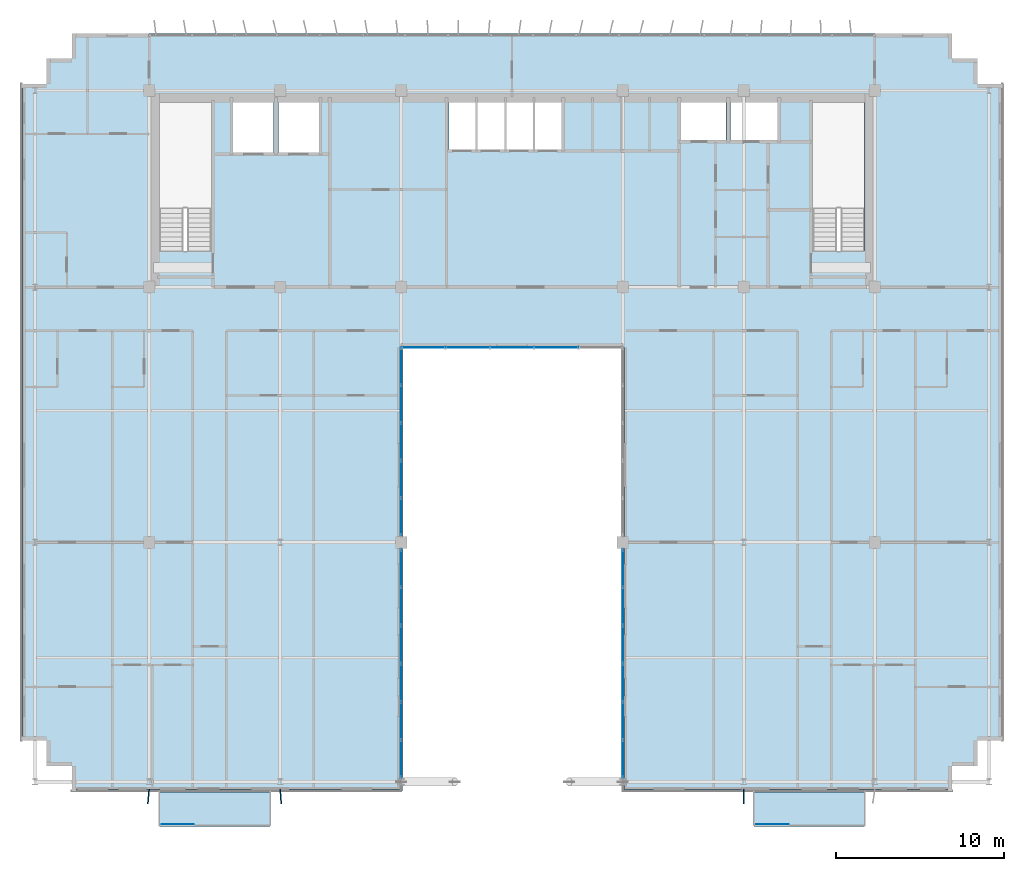
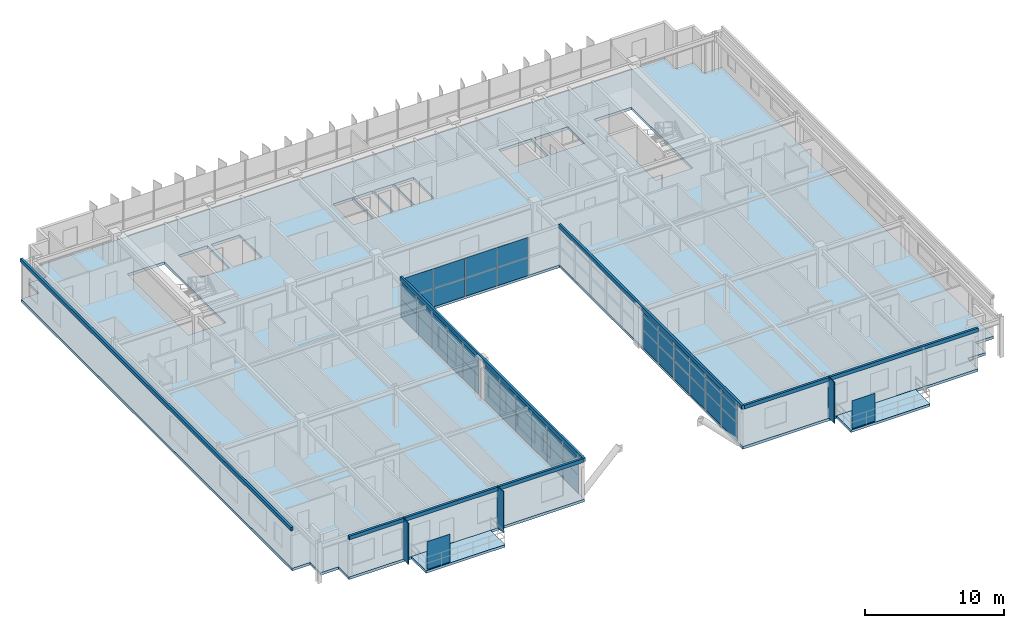
# One storey, part 26 of 35: 52 plates, 3 slabs, 4 elements without a shape of their own.
"""IFC4 building model written with IfcOpenShell, lengths in metres."""

from ifc_helpers import new_model, si_unit, direction, frame, origin, origin_2d, place, context, subcontext, project, spatial, polyline, rectangle, outline, extrude, source, transform, mapped, material, layer, layer_set, type_object, element, aggregate, save


model = new_model("IFC4")

# Units and contexts
model_context = context("Model", 3, precision=1e-05, world=origin(), true_north=direction((0.0, 1.0)))
body_context = subcontext(model_context, "Body", "Model", "MODEL_VIEW")
ifc_project = project(units=[si_unit("LENGTHUNIT", "METRE"), si_unit("AREAUNIT", "SQUARE_METRE"), si_unit("VOLUMEUNIT", "CUBIC_METRE"), si_unit("PLANEANGLEUNIT", "RADIAN"), si_unit("MASSUNIT", "GRAM", prefix="KILO")], contexts=[model_context])

# Site, building, storey
site_placement = place(None, origin())
site = spatial("IfcSite", under=ifc_project, at=site_placement, CompositionType="ELEMENT")
building_placement = place(site_placement, origin())
building = spatial("IfcBuilding", under=site, at=building_placement, Name="Trelvane Seafront Commons", CompositionType="ELEMENT")
storey_placement = place(building_placement, frame((0.0, 0.0, 194.10009765625)))
storey = spatial("IfcBuildingStorey", under=building, at=storey_placement, Name="L50", CompositionType="ELEMENT", Elevation=194.10009765625)

# Slabs
ifc_material_1 = material(Name="Concrete C40/50", Category="concrete")
ifc_layer_1 = layer(ifc_material_1, 0.219970703125, Name="ARCH-BALC-220")
ifc_layer_set_1 = layer_set([ifc_layer_1], Name="Concrete C40/50")
slab_type_1 = type_object("IfcSlabType", Name="ARCH-BALC-220", PredefinedType="FLOOR", material=ifc_layer_set_1)
slab_1_placement = place(storey_placement, frame((0.0, 0.0, -0.22021484375)))
element("IfcSlab", 1, at=slab_1_placement, inside=storey, type_object=slab_type_1, Name="L50 Cantilevered Tree Balcony Loggia 1", PredefinedType="FLOOR", context=body_context, shape_type="SweptSolid", body=[
    extrude(outline(polyline([(16.199951171875, 1.300048828125), (22.800048828125, 1.300048828125), (22.800048828125, 3.39990234375), (16.199951171875, 3.39990234375), (16.199951171875, 1.300048828125)])), origin(), (0.0, 0.0, 1.0), 0.22021484375),
])
slab_2_placement = place(storey_placement, frame((0.0, 0.0, -0.22021484375)))
element("IfcSlab", 2, at=slab_2_placement, inside=storey, type_object=slab_type_1, Name="L50 Cantilevered Tree Balcony Loggia 2", PredefinedType="FLOOR", context=body_context, shape_type="SweptSolid", body=[
    extrude(outline(polyline([(51.60009765625, 1.300048828125), (58.199951171875, 1.300048828125), (58.199951171875, 3.39990234375), (51.60009765625, 3.39990234375), (51.60009765625, 1.300048828125)])), origin(), (0.0, 0.0, 1.0), 0.22021484375),
])
ifc_material_2 = material(Name="Concrete C50/60", Category="concrete")
ifc_layer_2 = layer(ifc_material_2, 0.239990234375, Name="STR-SLB-Z4-240")
ifc_layer_set_2 = layer_set([ifc_layer_2], Name="Concrete C50/60")
slab_type_2 = type_object("IfcSlabType", Name="STR-SLB-Z4-240", PredefinedType="FLOOR", material=ifc_layer_set_2)
slab_3_placement = place(storey_placement, frame((0.0, 0.0, -0.239990234375)))
element("IfcSlab", 3, at=slab_3_placement, inside=storey, type_object=slab_type_2, Name="L50 Structural Floor Slab", PredefinedType="FLOOR", context=body_context, shape_type="SweptSolid", body=[
    extrude(outline(polyline([(11.0, 3.39990234375), (30.60009765625, 3.39990234375), (30.60009765625, 29.800048828125), (43.800048828125, 29.800048828125), (43.800048828125, 3.39990234375), (63.39990234375, 3.39990234375), (63.39990234375, 4.89990234375), (64.89990234375, 4.89990234375), (64.89990234375, 6.39990234375), (66.39990234375, 6.39990234375), (66.39990234375, 45.5), (64.89990234375, 45.5), (64.89990234375, 47.0), (63.39990234375, 47.0), (63.39990234375, 48.5), (11.0, 48.5), (11.0, 47.0), (9.5, 47.0), (9.5, 45.5), (8.0, 45.5), (8.0, 6.39990234375), (9.5, 6.39990234375), (9.5, 4.89990234375), (11.0, 4.89990234375), (11.0, 3.39990234375)]), holes=[polyline([(19.300048828125, 35.550048828125), (16.199951171875, 35.550048828125), (16.199951171875, 44.39990234375), (19.300048828125, 44.39990234375), (19.300048828125, 35.550048828125)]), polyline([(58.199951171875, 35.550048828125), (55.10009765625, 35.550048828125), (55.10009765625, 44.39990234375), (58.199951171875, 44.39990234375), (58.199951171875, 35.550048828125)]), polyline([(23.0, 41.39990234375), (20.60009765625, 41.39990234375), (20.60009765625, 44.60009765625), (23.0, 44.60009765625), (23.0, 41.39990234375)]), polyline([(23.300048828125, 41.39990234375), (23.300048828125, 44.60009765625), (25.699951171875, 44.60009765625), (25.699951171875, 41.39990234375), (23.300048828125, 41.39990234375)]), polyline([(33.449951171875, 41.60009765625), (33.449951171875, 44.60009765625), (35.070068359375, 44.60009765625), (35.070068359375, 41.60009765625), (33.449951171875, 41.60009765625)]), polyline([(36.77001953125, 41.60009765625), (35.14990234375, 41.60009765625), (35.14990234375, 44.60009765625), (36.77001953125, 44.60009765625), (36.77001953125, 41.60009765625)]), polyline([(38.469970703125, 41.60009765625), (36.85009765625, 41.60009765625), (36.85009765625, 44.60009765625), (38.469970703125, 44.60009765625), (38.469970703125, 41.60009765625)]), polyline([(40.169921875, 41.60009765625), (38.550048828125, 41.60009765625), (38.550048828125, 44.60009765625), (40.169921875, 44.60009765625), (40.169921875, 41.60009765625)]), polyline([(47.25, 42.14990234375), (47.25, 44.550048828125), (49.949951171875, 44.550048828125), (49.949951171875, 42.14990234375), (47.25, 42.14990234375)]), polyline([(50.199951171875, 42.14990234375), (50.199951171875, 44.550048828125), (53.0, 44.550048828125), (53.0, 42.14990234375), (50.199951171875, 42.14990234375)])]), origin(), (0.0, 0.0, 1.0), 0.239990234375),
])

# Plates
ifc_material_3 = material(Name="Perforated anodised aluminium screen", Category="aluminium")
ifc_layer_3 = layer(ifc_material_3, 0.01611328125, Name="ARCH-PLATE-SCREEN")
ifc_layer_set_3 = layer_set([ifc_layer_3], Name="Perforated anodised aluminium screen")
plate_type_1 = type_object("IfcPlateType", Name="ARCH-PLATE-SCREEN", PredefinedType="USERDEFINED", material=ifc_layer_set_3)
shared_shape_1 = source(origin(), body_context, "Body", "SweptSolid", [
    extrude(rectangle(XDim=1.9140625, YDim=0.01611328125, at=origin_2d()), origin(), (0.0, 0.0, 1.0), 2.449951171875),
])
for number, where, z_axis, x_axis, name in (
    (4, (17.306884765625, 1.419921875, 0.0), (0.0, 0.0, 1.0), (1.0, 0.0, 0.0), "SCR-L50-00176"),
    (5, (52.70703125, 1.419921875, 0.0), (0.0, 0.0, 1.0), (1.0, 0.0, 0.0), "SCR-L50-00177"),
):
    element("IfcPlate", number, at=place(storey_placement, frame(where, z_axis=z_axis, x_axis=x_axis)), inside=storey, type_object=plate_type_1, Name=name, ObjectType="SCREEN", PredefinedType="USERDEFINED", context=body_context, shape_type="MappedRepresentation", body=[
        mapped(shared_shape_1, transform((0.0, 0.0, 0.0), x_axis=(1.0, 0.0, 0.0), y_axis=(0.0, 1.0, 0.0), z_axis=(0.0, 0.0, 1.0), scale=1.0)),
    ])
ifc_material_4 = material(Name="Anodised pale-silver aluminium", Category="aluminium")
ifc_layer_4 = layer(ifc_material_4, 0.06005859375, Name="ARCH-PLATE-FIN900")
ifc_layer_set_4 = layer_set([ifc_layer_4], Name="Anodised pale-silver aluminium")
plate_type_2 = type_object("IfcPlateType", Name="ARCH-PLATE-FIN900", PredefinedType="USERDEFINED", material=ifc_layer_set_4)
shared_shape_2 = source(origin(), body_context, "Body", "SweptSolid", [
    extrude(rectangle(XDim=0.85009765625, YDim=0.06005859375, at=origin_2d()), origin(), (0.0, 0.0, 1.0), 3.639892578125),
])
for number, where, z_axis, x_axis, name in (
    (6, (15.56005859375, 3.076904296875, -0.02001953125), (0.0, 0.0, 1.0), (-0.094004057798, -0.995571814144, 0.0), "FIN-S-L50-01389"),
    (7, (23.43115234375, 3.076171875, -0.02001953125), (0.0, 0.0, 1.0), (0.073179015166, -0.997318821511, 0.0), "FIN-S-L50-01390"),
    (8, (51.00390625, 3.074951171875, -0.02001953125), (0.0, 0.0, 1.0), (0.009058134944, -0.999958974254, 0.0), "FIN-S-L50-01391"),
):
    element("IfcPlate", number, at=place(storey_placement, frame(where, z_axis=z_axis, x_axis=x_axis)), inside=storey, type_object=plate_type_2, Name=name, ObjectType="FIN", PredefinedType="USERDEFINED", context=body_context, shape_type="MappedRepresentation", body=[
        mapped(shared_shape_2, transform((0.0, 0.0, 0.0), x_axis=(1.0, 0.0, 0.0), y_axis=(0.0, 1.0, 0.0), z_axis=(0.0, 0.0, 1.0), scale=1.0)),
    ])
ifc_layer_5 = layer(ifc_material_4, 0.179931640625, Name="ARCH-PLATE-AERO")
ifc_layer_set_5 = layer_set([ifc_layer_5], Name="Anodised pale-silver aluminium")
plate_type_3 = type_object("IfcPlateType", Name="ARCH-PLATE-AERO", PredefinedType="SHEET", material=ifc_layer_set_5)
shared_shape_3 = source(origin(), body_context, "Body", "SweptSolid", [
    extrude(rectangle(XDim=39.10009765625, YDim=0.179931640625, at=origin_2d()), origin(), (0.0, 0.0, 1.0), 0.320068359375),
])
plate_1_placement = place(storey_placement, frame((8.0, 25.949951171875, 3.2998046875), z_axis=(0.0, 0.0, 1.0), x_axis=(0.0, 1.0, 0.0)))
element("IfcPlate", 9, at=plate_1_placement, inside=storey, type_object=plate_type_3, Name="AER-L50-00172", PredefinedType="SHEET", context=body_context, shape_type="MappedRepresentation", body=[
    mapped(shared_shape_3, transform((0.0, 0.0, 0.0), x_axis=(1.0, 0.0, 0.0), y_axis=(0.0, 1.0, 0.0), z_axis=(0.0, 0.0, 1.0), scale=1.0)),
])
shared_shape_4 = source(origin(), body_context, "Body", "SweptSolid", [
    extrude(rectangle(XDim=26.39990234375, YDim=0.179931640625, at=origin_2d()), origin(), (0.0, 0.0, 1.0), 0.320068359375),
])
for number, where, z_axis, x_axis, name in (
    (10, (43.800048828125, 16.60009765625, 3.2998046875), (0.0, 0.0, 1.0), (0.0, 1.0, 0.0), "AER-L50-00174"),
    (11, (30.60009765625, 16.60009765625, 3.2998046875), (0.0, 0.0, 1.0), (0.0, -1.0, 0.0), "AER-L50-00175"),
):
    element("IfcPlate", number, at=place(storey_placement, frame(where, z_axis=z_axis, x_axis=x_axis)), inside=storey, type_object=plate_type_3, Name=name, PredefinedType="SHEET", context=body_context, shape_type="MappedRepresentation", body=[
        mapped(shared_shape_4, transform((0.0, 0.0, 0.0), x_axis=(1.0, 0.0, 0.0), y_axis=(0.0, 1.0, 0.0), z_axis=(0.0, 0.0, 1.0), scale=1.0)),
    ])

# Curtain wall, plates
curtain_wall_type = type_object("IfcCurtainWallType", Name="ARCH-CW3-PORTAL", PredefinedType="NOTDEFINED", material=ifc_material_4)
curtain_wall_1_placement = place(storey_placement, origin())
curtain_wall_1 = element("IfcCurtainWall", 12, at=curtain_wall_1_placement, inside=storey, type_object=curtain_wall_type, Name="CW-L50-VP-0079", PredefinedType="NOTDEFINED")
ifc_material_5 = material(Name="Low-E coastal double glazing", Category="glass")
ifc_layer_6 = layer(ifc_material_5, 0.033935546875, Name="ARCH-CW-GLAZ-34")
ifc_layer_set_6 = layer_set([ifc_layer_6], Name="Low-E coastal double glazing")
plate_type_4 = type_object("IfcPlateType", Name="ARCH-CW-GLAZ-34", PredefinedType="CURTAIN_PANEL", material=ifc_layer_set_6)
shared_shape_5 = source(origin(), body_context, "Body", "SweptSolid", [
    extrude(rectangle(XDim=2.246826171875, YDim=0.0380859375, at=origin_2d()), origin(), (0.0, 0.0, 1.0), 1.594970703125),
])
plate_2_placement = place(storey_placement, frame((30.60009765625, 5.310302734375, 0.0), z_axis=(0.0, 0.0, 1.0), x_axis=(0.0, 1.0, 0.0)))
plate_2 = element("IfcPlate", 13, at=plate_2_placement, type_object=plate_type_4, Name="CW-L50-VP-0079-P00-1", PredefinedType="CURTAIN_PANEL", context=body_context, shape_type="MappedRepresentation", body=[
    mapped(shared_shape_5, transform((0.0, 0.0, 0.0), x_axis=(1.0, 0.0, 0.0), y_axis=(0.0, 1.0, 0.0), z_axis=(0.0, 0.0, 1.0), scale=1.0)),
])
plate_3_placement = place(storey_placement, frame((30.60009765625, 7.581298828125, 0.0), z_axis=(0.0, 0.0, 1.0), x_axis=(0.0, 1.0, 0.0)))
plate_3 = element("IfcPlate", 14, at=plate_3_placement, type_object=plate_type_4, Name="CW-L50-VP-0079-P01-1", PredefinedType="CURTAIN_PANEL", context=body_context, shape_type="MappedRepresentation", body=[
    mapped(shared_shape_5, transform((0.0, 0.0, 0.0), x_axis=(1.0, 0.0, 0.0), y_axis=(0.0, 1.0, 0.0), z_axis=(0.0, 0.0, 1.0), scale=1.0)),
])
plate_4_placement = place(storey_placement, frame((30.60009765625, 9.85205078125, 0.0), z_axis=(0.0, 0.0, 1.0), x_axis=(0.0, 1.0, 0.0)))
plate_4 = element("IfcPlate", 15, at=plate_4_placement, type_object=plate_type_4, Name="CW-L50-VP-0079-P02-1", PredefinedType="CURTAIN_PANEL", context=body_context, shape_type="MappedRepresentation", body=[
    mapped(shared_shape_5, transform((0.0, 0.0, 0.0), x_axis=(1.0, 0.0, 0.0), y_axis=(0.0, 1.0, 0.0), z_axis=(0.0, 0.0, 1.0), scale=1.0)),
])
plate_5_placement = place(storey_placement, frame((30.60009765625, 12.122802734375, 0.0), z_axis=(0.0, 0.0, 1.0), x_axis=(0.0, 1.0, 0.0)))
plate_5 = element("IfcPlate", 16, at=plate_5_placement, type_object=plate_type_4, Name="CW-L50-VP-0079-P03-1", PredefinedType="CURTAIN_PANEL", context=body_context, shape_type="MappedRepresentation", body=[
    mapped(shared_shape_5, transform((0.0, 0.0, 0.0), x_axis=(1.0, 0.0, 0.0), y_axis=(0.0, 1.0, 0.0), z_axis=(0.0, 0.0, 1.0), scale=1.0)),
])
plate_6_placement = place(storey_placement, frame((30.60009765625, 14.393798828125, 0.0), z_axis=(0.0, 0.0, 1.0), x_axis=(0.0, 1.0, 0.0)))
plate_6 = element("IfcPlate", 17, at=plate_6_placement, type_object=plate_type_4, Name="CW-L50-VP-0079-P04-1", PredefinedType="CURTAIN_PANEL", context=body_context, shape_type="MappedRepresentation", body=[
    mapped(shared_shape_5, transform((0.0, 0.0, 0.0), x_axis=(1.0, 0.0, 0.0), y_axis=(0.0, 1.0, 0.0), z_axis=(0.0, 0.0, 1.0), scale=1.0)),
])
plate_7_placement = place(storey_placement, frame((30.60009765625, 16.66455078125, 0.0), z_axis=(0.0, 0.0, 1.0), x_axis=(0.0, 1.0, 0.0)))
plate_7 = element("IfcPlate", 18, at=plate_7_placement, type_object=plate_type_4, Name="CW-L50-VP-0079-P05-1", PredefinedType="CURTAIN_PANEL", context=body_context, shape_type="MappedRepresentation", body=[
    mapped(shared_shape_5, transform((0.0, 0.0, 0.0), x_axis=(1.0, 0.0, 0.0), y_axis=(0.0, 1.0, 0.0), z_axis=(0.0, 0.0, 1.0), scale=1.0)),
])

curtain_wall_2_placement = place(storey_placement, origin())
curtain_wall_2 = element("IfcCurtainWall", 19, at=curtain_wall_2_placement, inside=storey, type_object=curtain_wall_type, Name="CW-L50-VP-0083", PredefinedType="NOTDEFINED")
plate_8_placement = place(storey_placement, frame((43.800048828125, 16.66455078125, 0.0), z_axis=(0.0, 0.0, 1.0), x_axis=(0.0, -1.0, 0.0)))
plate_8 = element("IfcPlate", 20, at=plate_8_placement, type_object=plate_type_4, Name="CW-L50-VP-0083-P00-1", PredefinedType="CURTAIN_PANEL", context=body_context, shape_type="MappedRepresentation", body=[
    mapped(shared_shape_5, transform((0.0, 0.0, 0.0), x_axis=(1.0, 0.0, 0.0), y_axis=(0.0, 1.0, 0.0), z_axis=(0.0, 0.0, 1.0), scale=1.0)),
])
plate_9_placement = place(storey_placement, frame((43.800048828125, 14.393798828125, 0.0), z_axis=(0.0, 0.0, 1.0), x_axis=(0.0, -1.0, 0.0)))
plate_9 = element("IfcPlate", 21, at=plate_9_placement, type_object=plate_type_4, Name="CW-L50-VP-0083-P01-1", PredefinedType="CURTAIN_PANEL", context=body_context, shape_type="MappedRepresentation", body=[
    mapped(shared_shape_5, transform((0.0, 0.0, 0.0), x_axis=(1.0, 0.0, 0.0), y_axis=(0.0, 1.0, 0.0), z_axis=(0.0, 0.0, 1.0), scale=1.0)),
])
plate_10_placement = place(storey_placement, frame((43.800048828125, 12.122802734375, 0.0), z_axis=(0.0, 0.0, 1.0), x_axis=(0.0, -1.0, 0.0)))
plate_10 = element("IfcPlate", 22, at=plate_10_placement, type_object=plate_type_4, Name="CW-L50-VP-0083-P02-1", PredefinedType="CURTAIN_PANEL", context=body_context, shape_type="MappedRepresentation", body=[
    mapped(shared_shape_5, transform((0.0, 0.0, 0.0), x_axis=(1.0, 0.0, 0.0), y_axis=(0.0, 1.0, 0.0), z_axis=(0.0, 0.0, 1.0), scale=1.0)),
])
plate_11_placement = place(storey_placement, frame((43.800048828125, 9.85205078125, 0.0), z_axis=(0.0, 0.0, 1.0), x_axis=(0.0, -1.0, 0.0)))
plate_11 = element("IfcPlate", 23, at=plate_11_placement, type_object=plate_type_4, Name="CW-L50-VP-0083-P03-1", PredefinedType="CURTAIN_PANEL", context=body_context, shape_type="MappedRepresentation", body=[
    mapped(shared_shape_5, transform((0.0, 0.0, 0.0), x_axis=(1.0, 0.0, 0.0), y_axis=(0.0, 1.0, 0.0), z_axis=(0.0, 0.0, 1.0), scale=1.0)),
])
plate_12_placement = place(storey_placement, frame((43.800048828125, 7.581298828125, 0.0), z_axis=(0.0, 0.0, 1.0), x_axis=(0.0, -1.0, 0.0)))
plate_12 = element("IfcPlate", 24, at=plate_12_placement, type_object=plate_type_4, Name="CW-L50-VP-0083-P04-1", PredefinedType="CURTAIN_PANEL", context=body_context, shape_type="MappedRepresentation", body=[
    mapped(shared_shape_5, transform((0.0, 0.0, 0.0), x_axis=(1.0, 0.0, 0.0), y_axis=(0.0, 1.0, 0.0), z_axis=(0.0, 0.0, 1.0), scale=1.0)),
])
plate_13_placement = place(storey_placement, frame((43.800048828125, 5.310302734375, 0.0), z_axis=(0.0, 0.0, 1.0), x_axis=(0.0, -1.0, 0.0)))
plate_13 = element("IfcPlate", 25, at=plate_13_placement, type_object=plate_type_4, Name="CW-L50-VP-0083-P05-1", PredefinedType="CURTAIN_PANEL", context=body_context, shape_type="MappedRepresentation", body=[
    mapped(shared_shape_5, transform((0.0, 0.0, 0.0), x_axis=(1.0, 0.0, 0.0), y_axis=(0.0, 1.0, 0.0), z_axis=(0.0, 0.0, 1.0), scale=1.0)),
])

# Plate
shared_shape_6 = source(origin(), body_context, "Body", "SweptSolid", [
    extrude(rectangle(XDim=2.246826171875, YDim=0.0380859375, at=origin_2d()), origin(), (0.0, 0.0, 1.0), 1.72900390625),
])
plate_14_placement = place(storey_placement, frame((30.60009765625, 5.310302734375, 1.630859375), z_axis=(0.0, 0.0, 1.0), x_axis=(0.0, 1.0, 0.0)))
plate_14 = element("IfcPlate", 26, at=plate_14_placement, type_object=plate_type_4, Name="CW-L50-VP-0079-P00-2", PredefinedType="CURTAIN_PANEL", context=body_context, shape_type="MappedRepresentation", body=[
    mapped(shared_shape_6, transform((0.0, 0.0, 0.0), x_axis=(1.0, 0.0, 0.0), y_axis=(0.0, 1.0, 0.0), z_axis=(0.0, 0.0, 1.0), scale=1.0)),
])

plate_15_placement = place(storey_placement, frame((30.60009765625, 7.581298828125, 1.630859375), z_axis=(0.0, 0.0, 1.0), x_axis=(0.0, 1.0, 0.0)))
plate_15 = element("IfcPlate", 27, at=plate_15_placement, type_object=plate_type_4, Name="CW-L50-VP-0079-P01-2", PredefinedType="CURTAIN_PANEL", context=body_context, shape_type="MappedRepresentation", body=[
    mapped(shared_shape_6, transform((0.0, 0.0, 0.0), x_axis=(1.0, 0.0, 0.0), y_axis=(0.0, 1.0, 0.0), z_axis=(0.0, 0.0, 1.0), scale=1.0)),
])

plate_16_placement = place(storey_placement, frame((30.60009765625, 9.85205078125, 1.630859375), z_axis=(0.0, 0.0, 1.0), x_axis=(0.0, 1.0, 0.0)))
plate_16 = element("IfcPlate", 28, at=plate_16_placement, type_object=plate_type_4, Name="CW-L50-VP-0079-P02-2", PredefinedType="CURTAIN_PANEL", context=body_context, shape_type="MappedRepresentation", body=[
    mapped(shared_shape_6, transform((0.0, 0.0, 0.0), x_axis=(1.0, 0.0, 0.0), y_axis=(0.0, 1.0, 0.0), z_axis=(0.0, 0.0, 1.0), scale=1.0)),
])

plate_17_placement = place(storey_placement, frame((30.60009765625, 12.122802734375, 1.630859375), z_axis=(0.0, 0.0, 1.0), x_axis=(0.0, 1.0, 0.0)))
plate_17 = element("IfcPlate", 29, at=plate_17_placement, type_object=plate_type_4, Name="CW-L50-VP-0079-P03-2", PredefinedType="CURTAIN_PANEL", context=body_context, shape_type="MappedRepresentation", body=[
    mapped(shared_shape_6, transform((0.0, 0.0, 0.0), x_axis=(1.0, 0.0, 0.0), y_axis=(0.0, 1.0, 0.0), z_axis=(0.0, 0.0, 1.0), scale=1.0)),
])

plate_18_placement = place(storey_placement, frame((30.60009765625, 14.393798828125, 1.630859375), z_axis=(0.0, 0.0, 1.0), x_axis=(0.0, 1.0, 0.0)))
plate_18 = element("IfcPlate", 30, at=plate_18_placement, type_object=plate_type_4, Name="CW-L50-VP-0079-P04-2", PredefinedType="CURTAIN_PANEL", context=body_context, shape_type="MappedRepresentation", body=[
    mapped(shared_shape_6, transform((0.0, 0.0, 0.0), x_axis=(1.0, 0.0, 0.0), y_axis=(0.0, 1.0, 0.0), z_axis=(0.0, 0.0, 1.0), scale=1.0)),
])

plate_19_placement = place(storey_placement, frame((30.60009765625, 16.66455078125, 1.630859375), z_axis=(0.0, 0.0, 1.0), x_axis=(0.0, 1.0, 0.0)))
plate_19 = element("IfcPlate", 31, at=plate_19_placement, type_object=plate_type_4, Name="CW-L50-VP-0079-P05-2", PredefinedType="CURTAIN_PANEL", context=body_context, shape_type="MappedRepresentation", body=[
    mapped(shared_shape_6, transform((0.0, 0.0, 0.0), x_axis=(1.0, 0.0, 0.0), y_axis=(0.0, 1.0, 0.0), z_axis=(0.0, 0.0, 1.0), scale=1.0)),
])

aggregate(curtain_wall_1, [plate_2, plate_14, plate_3, plate_15, plate_4, plate_16, plate_5, plate_17, plate_6, plate_18, plate_7, plate_19])

plate_20_placement = place(storey_placement, frame((43.800048828125, 16.66455078125, 1.630859375), z_axis=(0.0, 0.0, 1.0), x_axis=(0.0, -1.0, 0.0)))
plate_20 = element("IfcPlate", 32, at=plate_20_placement, type_object=plate_type_4, Name="CW-L50-VP-0083-P00-2", PredefinedType="CURTAIN_PANEL", context=body_context, shape_type="MappedRepresentation", body=[
    mapped(shared_shape_6, transform((0.0, 0.0, 0.0), x_axis=(1.0, 0.0, 0.0), y_axis=(0.0, 1.0, 0.0), z_axis=(0.0, 0.0, 1.0), scale=1.0)),
])

plate_21_placement = place(storey_placement, frame((43.800048828125, 14.393798828125, 1.630859375), z_axis=(0.0, 0.0, 1.0), x_axis=(0.0, -1.0, 0.0)))
plate_21 = element("IfcPlate", 33, at=plate_21_placement, type_object=plate_type_4, Name="CW-L50-VP-0083-P01-2", PredefinedType="CURTAIN_PANEL", context=body_context, shape_type="MappedRepresentation", body=[
    mapped(shared_shape_6, transform((0.0, 0.0, 0.0), x_axis=(1.0, 0.0, 0.0), y_axis=(0.0, 1.0, 0.0), z_axis=(0.0, 0.0, 1.0), scale=1.0)),
])

plate_22_placement = place(storey_placement, frame((43.800048828125, 12.122802734375, 1.630859375), z_axis=(0.0, 0.0, 1.0), x_axis=(0.0, -1.0, 0.0)))
plate_22 = element("IfcPlate", 34, at=plate_22_placement, type_object=plate_type_4, Name="CW-L50-VP-0083-P02-2", PredefinedType="CURTAIN_PANEL", context=body_context, shape_type="MappedRepresentation", body=[
    mapped(shared_shape_6, transform((0.0, 0.0, 0.0), x_axis=(1.0, 0.0, 0.0), y_axis=(0.0, 1.0, 0.0), z_axis=(0.0, 0.0, 1.0), scale=1.0)),
])

plate_23_placement = place(storey_placement, frame((43.800048828125, 9.85205078125, 1.630859375), z_axis=(0.0, 0.0, 1.0), x_axis=(0.0, -1.0, 0.0)))
plate_23 = element("IfcPlate", 35, at=plate_23_placement, type_object=plate_type_4, Name="CW-L50-VP-0083-P03-2", PredefinedType="CURTAIN_PANEL", context=body_context, shape_type="MappedRepresentation", body=[
    mapped(shared_shape_6, transform((0.0, 0.0, 0.0), x_axis=(1.0, 0.0, 0.0), y_axis=(0.0, 1.0, 0.0), z_axis=(0.0, 0.0, 1.0), scale=1.0)),
])

plate_24_placement = place(storey_placement, frame((43.800048828125, 7.581298828125, 1.630859375), z_axis=(0.0, 0.0, 1.0), x_axis=(0.0, -1.0, 0.0)))
plate_24 = element("IfcPlate", 36, at=plate_24_placement, type_object=plate_type_4, Name="CW-L50-VP-0083-P04-2", PredefinedType="CURTAIN_PANEL", context=body_context, shape_type="MappedRepresentation", body=[
    mapped(shared_shape_6, transform((0.0, 0.0, 0.0), x_axis=(1.0, 0.0, 0.0), y_axis=(0.0, 1.0, 0.0), z_axis=(0.0, 0.0, 1.0), scale=1.0)),
])

plate_25_placement = place(storey_placement, frame((43.800048828125, 5.310302734375, 1.630859375), z_axis=(0.0, 0.0, 1.0), x_axis=(0.0, -1.0, 0.0)))
plate_25 = element("IfcPlate", 37, at=plate_25_placement, type_object=plate_type_4, Name="CW-L50-VP-0083-P05-2", PredefinedType="CURTAIN_PANEL", context=body_context, shape_type="MappedRepresentation", body=[
    mapped(shared_shape_6, transform((0.0, 0.0, 0.0), x_axis=(1.0, 0.0, 0.0), y_axis=(0.0, 1.0, 0.0), z_axis=(0.0, 0.0, 1.0), scale=1.0)),
])

aggregate(curtain_wall_2, [plate_8, plate_20, plate_9, plate_21, plate_10, plate_22, plate_11, plate_23, plate_12, plate_24, plate_13, plate_25])

# Curtain wall, plates
curtain_wall_3_placement = place(storey_placement, origin())
curtain_wall_3 = element("IfcCurtainWall", 38, at=curtain_wall_3_placement, inside=storey, type_object=curtain_wall_type, Name="CW-L50-VP-0080", PredefinedType="NOTDEFINED")
shared_shape_7 = source(origin(), body_context, "Body", "SweptSolid", [
    extrude(rectangle(XDim=2.216064453125, YDim=0.0380859375, at=origin_2d()), origin(), (0.0, 0.0, 1.0), 1.594970703125),
])
plate_26_placement = place(storey_placement, frame((30.60009765625, 19.719970703125, 0.0), z_axis=(0.0, 0.0, 1.0), x_axis=(0.0, 1.0, 0.0)))
plate_26 = element("IfcPlate", 39, at=plate_26_placement, type_object=plate_type_4, Name="CW-L50-VP-0080-P00-1", PredefinedType="CURTAIN_PANEL", context=body_context, shape_type="MappedRepresentation", body=[
    mapped(shared_shape_7, transform((0.0, 0.0, 0.0), x_axis=(1.0, 0.0, 0.0), y_axis=(0.0, 1.0, 0.0), z_axis=(0.0, 0.0, 1.0), scale=1.0)),
])
plate_27_placement = place(storey_placement, frame((30.60009765625, 21.9599609375, 0.0), z_axis=(0.0, 0.0, 1.0), x_axis=(0.0, 1.0, 0.0)))
plate_27 = element("IfcPlate", 40, at=plate_27_placement, type_object=plate_type_4, Name="CW-L50-VP-0080-P01-1", PredefinedType="CURTAIN_PANEL", context=body_context, shape_type="MappedRepresentation", body=[
    mapped(shared_shape_7, transform((0.0, 0.0, 0.0), x_axis=(1.0, 0.0, 0.0), y_axis=(0.0, 1.0, 0.0), z_axis=(0.0, 0.0, 1.0), scale=1.0)),
])
plate_28_placement = place(storey_placement, frame((30.60009765625, 24.199951171875, 0.0), z_axis=(0.0, 0.0, 1.0), x_axis=(0.0, 1.0, 0.0)))
plate_28 = element("IfcPlate", 41, at=plate_28_placement, type_object=plate_type_4, Name="CW-L50-VP-0080-P02-1", PredefinedType="CURTAIN_PANEL", context=body_context, shape_type="MappedRepresentation", body=[
    mapped(shared_shape_7, transform((0.0, 0.0, 0.0), x_axis=(1.0, 0.0, 0.0), y_axis=(0.0, 1.0, 0.0), z_axis=(0.0, 0.0, 1.0), scale=1.0)),
])
plate_29_placement = place(storey_placement, frame((30.60009765625, 26.43994140625, 0.0), z_axis=(0.0, 0.0, 1.0), x_axis=(0.0, 1.0, 0.0)))
plate_29 = element("IfcPlate", 42, at=plate_29_placement, type_object=plate_type_4, Name="CW-L50-VP-0080-P03-1", PredefinedType="CURTAIN_PANEL", context=body_context, shape_type="MappedRepresentation", body=[
    mapped(shared_shape_7, transform((0.0, 0.0, 0.0), x_axis=(1.0, 0.0, 0.0), y_axis=(0.0, 1.0, 0.0), z_axis=(0.0, 0.0, 1.0), scale=1.0)),
])
plate_30_placement = place(storey_placement, frame((30.60009765625, 28.679931640625, 0.0), z_axis=(0.0, 0.0, 1.0), x_axis=(0.0, 1.0, 0.0)))
plate_30 = element("IfcPlate", 43, at=plate_30_placement, type_object=plate_type_4, Name="CW-L50-VP-0080-P04-1", PredefinedType="CURTAIN_PANEL", context=body_context, shape_type="MappedRepresentation", body=[
    mapped(shared_shape_7, transform((0.0, 0.0, 0.0), x_axis=(1.0, 0.0, 0.0), y_axis=(0.0, 1.0, 0.0), z_axis=(0.0, 0.0, 1.0), scale=1.0)),
])
shared_shape_8 = source(origin(), body_context, "Body", "SweptSolid", [
    extrude(rectangle(XDim=2.216064453125, YDim=0.0380859375, at=origin_2d()), origin(), (0.0, 0.0, 1.0), 1.72900390625),
])
plate_31_placement = place(storey_placement, frame((30.60009765625, 19.719970703125, 1.630859375), z_axis=(0.0, 0.0, 1.0), x_axis=(0.0, 1.0, 0.0)))
plate_31 = element("IfcPlate", 44, at=plate_31_placement, type_object=plate_type_4, Name="CW-L50-VP-0080-P00-2", PredefinedType="CURTAIN_PANEL", context=body_context, shape_type="MappedRepresentation", body=[
    mapped(shared_shape_8, transform((0.0, 0.0, 0.0), x_axis=(1.0, 0.0, 0.0), y_axis=(0.0, 1.0, 0.0), z_axis=(0.0, 0.0, 1.0), scale=1.0)),
])
plate_32_placement = place(storey_placement, frame((30.60009765625, 21.9599609375, 1.630859375), z_axis=(0.0, 0.0, 1.0), x_axis=(0.0, 1.0, 0.0)))
plate_32 = element("IfcPlate", 45, at=plate_32_placement, type_object=plate_type_4, Name="CW-L50-VP-0080-P01-2", PredefinedType="CURTAIN_PANEL", context=body_context, shape_type="MappedRepresentation", body=[
    mapped(shared_shape_8, transform((0.0, 0.0, 0.0), x_axis=(1.0, 0.0, 0.0), y_axis=(0.0, 1.0, 0.0), z_axis=(0.0, 0.0, 1.0), scale=1.0)),
])
plate_33_placement = place(storey_placement, frame((30.60009765625, 24.199951171875, 1.630859375), z_axis=(0.0, 0.0, 1.0), x_axis=(0.0, 1.0, 0.0)))
plate_33 = element("IfcPlate", 46, at=plate_33_placement, type_object=plate_type_4, Name="CW-L50-VP-0080-P02-2", PredefinedType="CURTAIN_PANEL", context=body_context, shape_type="MappedRepresentation", body=[
    mapped(shared_shape_8, transform((0.0, 0.0, 0.0), x_axis=(1.0, 0.0, 0.0), y_axis=(0.0, 1.0, 0.0), z_axis=(0.0, 0.0, 1.0), scale=1.0)),
])
plate_34_placement = place(storey_placement, frame((30.60009765625, 26.43994140625, 1.630859375), z_axis=(0.0, 0.0, 1.0), x_axis=(0.0, 1.0, 0.0)))
plate_34 = element("IfcPlate", 47, at=plate_34_placement, type_object=plate_type_4, Name="CW-L50-VP-0080-P03-2", PredefinedType="CURTAIN_PANEL", context=body_context, shape_type="MappedRepresentation", body=[
    mapped(shared_shape_8, transform((0.0, 0.0, 0.0), x_axis=(1.0, 0.0, 0.0), y_axis=(0.0, 1.0, 0.0), z_axis=(0.0, 0.0, 1.0), scale=1.0)),
])
plate_35_placement = place(storey_placement, frame((30.60009765625, 28.679931640625, 1.630859375), z_axis=(0.0, 0.0, 1.0), x_axis=(0.0, 1.0, 0.0)))
plate_35 = element("IfcPlate", 48, at=plate_35_placement, type_object=plate_type_4, Name="CW-L50-VP-0080-P04-2", PredefinedType="CURTAIN_PANEL", context=body_context, shape_type="MappedRepresentation", body=[
    mapped(shared_shape_8, transform((0.0, 0.0, 0.0), x_axis=(1.0, 0.0, 0.0), y_axis=(0.0, 1.0, 0.0), z_axis=(0.0, 0.0, 1.0), scale=1.0)),
])
aggregate(curtain_wall_3, [plate_26, plate_31, plate_27, plate_32, plate_28, plate_33, plate_29, plate_34, plate_30, plate_35])

curtain_wall_4_placement = place(storey_placement, origin())
curtain_wall_4 = element("IfcCurtainWall", 49, at=curtain_wall_4_placement, inside=storey, type_object=curtain_wall_type, Name="CW-L50-VP-0081", PredefinedType="NOTDEFINED")
shared_shape_9 = source(origin(), body_context, "Body", "SweptSolid", [
    extrude(rectangle(XDim=2.615966796875, YDim=0.0380859375, at=origin_2d()), origin(), (0.0, 0.0, 1.0), 1.594970703125),
])
plate_36_placement = place(storey_placement, frame((31.919921875, 29.800048828125, 0.0), z_axis=(0.0, 0.0, 1.0), x_axis=(1.0, 0.0, 0.0)))
plate_36 = element("IfcPlate", 50, at=plate_36_placement, type_object=plate_type_4, Name="CW-L50-VP-0081-P00-1", PredefinedType="CURTAIN_PANEL", context=body_context, shape_type="MappedRepresentation", body=[
    mapped(shared_shape_9, transform((0.0, 0.0, 0.0), x_axis=(1.0, 0.0, 0.0), y_axis=(0.0, 1.0, 0.0), z_axis=(0.0, 0.0, 1.0), scale=1.0)),
])
plate_37_placement = place(storey_placement, frame((34.56005859375, 29.800048828125, 0.0), z_axis=(0.0, 0.0, 1.0), x_axis=(1.0, 0.0, 0.0)))
plate_37 = element("IfcPlate", 51, at=plate_37_placement, type_object=plate_type_4, Name="CW-L50-VP-0081-P01-1", PredefinedType="CURTAIN_PANEL", context=body_context, shape_type="MappedRepresentation", body=[
    mapped(shared_shape_9, transform((0.0, 0.0, 0.0), x_axis=(1.0, 0.0, 0.0), y_axis=(0.0, 1.0, 0.0), z_axis=(0.0, 0.0, 1.0), scale=1.0)),
])
plate_38_placement = place(storey_placement, frame((37.199951171875, 29.800048828125, 0.0), z_axis=(0.0, 0.0, 1.0), x_axis=(1.0, 0.0, 0.0)))
plate_38 = element("IfcPlate", 52, at=plate_38_placement, type_object=plate_type_4, Name="CW-L50-VP-0081-P02-1", PredefinedType="CURTAIN_PANEL", context=body_context, shape_type="MappedRepresentation", body=[
    mapped(shared_shape_9, transform((0.0, 0.0, 0.0), x_axis=(1.0, 0.0, 0.0), y_axis=(0.0, 1.0, 0.0), z_axis=(0.0, 0.0, 1.0), scale=1.0)),
])
plate_39_placement = place(storey_placement, frame((39.840087890625, 29.800048828125, 0.0), z_axis=(0.0, 0.0, 1.0), x_axis=(1.0, 0.0, 0.0)))
plate_39 = element("IfcPlate", 53, at=plate_39_placement, type_object=plate_type_4, Name="CW-L50-VP-0081-P03-1", PredefinedType="CURTAIN_PANEL", context=body_context, shape_type="MappedRepresentation", body=[
    mapped(shared_shape_9, transform((0.0, 0.0, 0.0), x_axis=(1.0, 0.0, 0.0), y_axis=(0.0, 1.0, 0.0), z_axis=(0.0, 0.0, 1.0), scale=1.0)),
])
shared_shape_10 = source(origin(), body_context, "Body", "SweptSolid", [
    extrude(rectangle(XDim=2.615966796875, YDim=0.0380859375, at=origin_2d()), origin(), (0.0, 0.0, 1.0), 1.72900390625),
])
plate_40_placement = place(storey_placement, frame((31.919921875, 29.800048828125, 1.630859375), z_axis=(0.0, 0.0, 1.0), x_axis=(1.0, 0.0, 0.0)))
plate_40 = element("IfcPlate", 54, at=plate_40_placement, type_object=plate_type_4, Name="CW-L50-VP-0081-P00-2", PredefinedType="CURTAIN_PANEL", context=body_context, shape_type="MappedRepresentation", body=[
    mapped(shared_shape_10, transform((0.0, 0.0, 0.0), x_axis=(1.0, 0.0, 0.0), y_axis=(0.0, 1.0, 0.0), z_axis=(0.0, 0.0, 1.0), scale=1.0)),
])
plate_41_placement = place(storey_placement, frame((34.56005859375, 29.800048828125, 1.630859375), z_axis=(0.0, 0.0, 1.0), x_axis=(1.0, 0.0, 0.0)))
plate_41 = element("IfcPlate", 55, at=plate_41_placement, type_object=plate_type_4, Name="CW-L50-VP-0081-P01-2", PredefinedType="CURTAIN_PANEL", context=body_context, shape_type="MappedRepresentation", body=[
    mapped(shared_shape_10, transform((0.0, 0.0, 0.0), x_axis=(1.0, 0.0, 0.0), y_axis=(0.0, 1.0, 0.0), z_axis=(0.0, 0.0, 1.0), scale=1.0)),
])
plate_42_placement = place(storey_placement, frame((37.199951171875, 29.800048828125, 1.630859375), z_axis=(0.0, 0.0, 1.0), x_axis=(1.0, 0.0, 0.0)))
plate_42 = element("IfcPlate", 56, at=plate_42_placement, type_object=plate_type_4, Name="CW-L50-VP-0081-P02-2", PredefinedType="CURTAIN_PANEL", context=body_context, shape_type="MappedRepresentation", body=[
    mapped(shared_shape_10, transform((0.0, 0.0, 0.0), x_axis=(1.0, 0.0, 0.0), y_axis=(0.0, 1.0, 0.0), z_axis=(0.0, 0.0, 1.0), scale=1.0)),
])
plate_43_placement = place(storey_placement, frame((39.840087890625, 29.800048828125, 1.630859375), z_axis=(0.0, 0.0, 1.0), x_axis=(1.0, 0.0, 0.0)))
plate_43 = element("IfcPlate", 57, at=plate_43_placement, type_object=plate_type_4, Name="CW-L50-VP-0081-P03-2", PredefinedType="CURTAIN_PANEL", context=body_context, shape_type="MappedRepresentation", body=[
    mapped(shared_shape_10, transform((0.0, 0.0, 0.0), x_axis=(1.0, 0.0, 0.0), y_axis=(0.0, 1.0, 0.0), z_axis=(0.0, 0.0, 1.0), scale=1.0)),
])
aggregate(curtain_wall_4, [plate_36, plate_40, plate_37, plate_41, plate_38, plate_42, plate_39, plate_43])

# Plates
shared_shape_11 = source(origin(), body_context, "Body", "SweptSolid", [
    extrude(rectangle(XDim=19.5, YDim=0.179931640625, at=origin_2d()), origin(), (0.0, 0.0, 1.0), 0.320068359375),
])
for number, where, z_axis, x_axis, name in (
    (58, (20.75, 3.43994140625, 3.2998046875), (0.0, 0.0, 1.0), (-1.0, 0.0, 0.0), "AER-S-L50-00178"),
    (59, (53.64990234375, 3.43994140625, 3.2998046875), (0.0, 0.0, 1.0), (-1.0, 0.0, 0.0), "AER-S-L50-00179"),
):
    element("IfcPlate", number, at=place(storey_placement, frame(where, z_axis=z_axis, x_axis=x_axis)), inside=storey, type_object=plate_type_3, Name=name, PredefinedType="SHEET", context=body_context, shape_type="MappedRepresentation", body=[
        mapped(shared_shape_11, transform((0.0, 0.0, 0.0), x_axis=(1.0, 0.0, 0.0), y_axis=(0.0, 1.0, 0.0), z_axis=(0.0, 0.0, 1.0), scale=1.0)),
    ])

save(model, "model.ifc")
